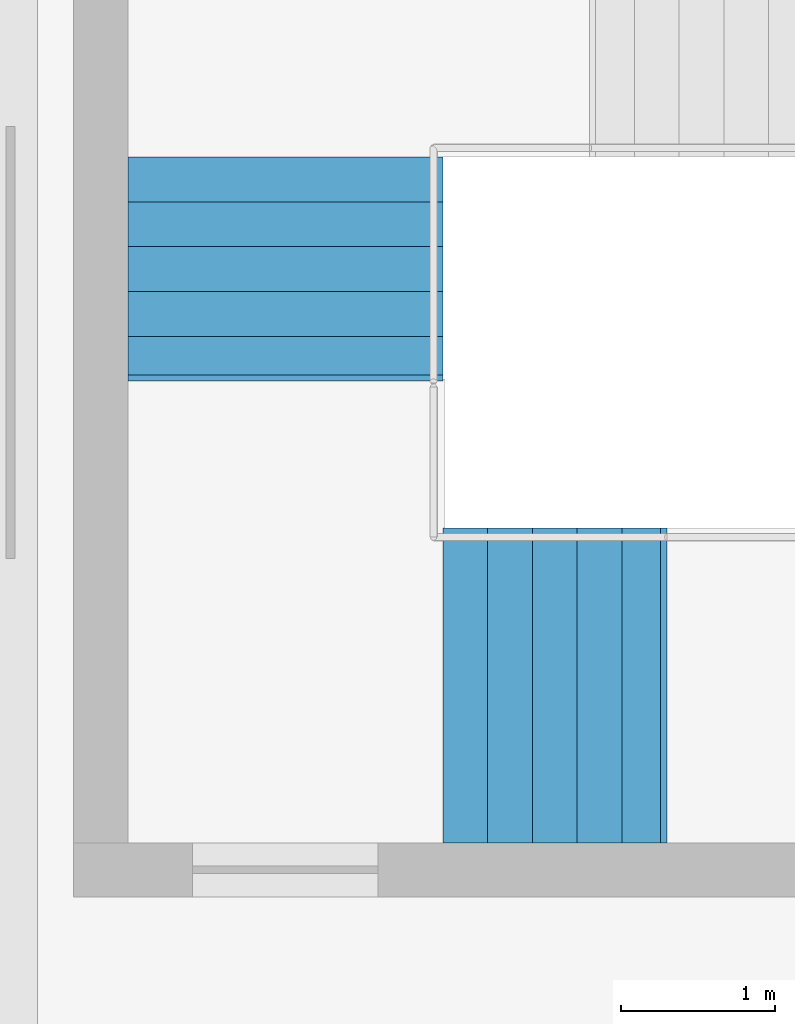
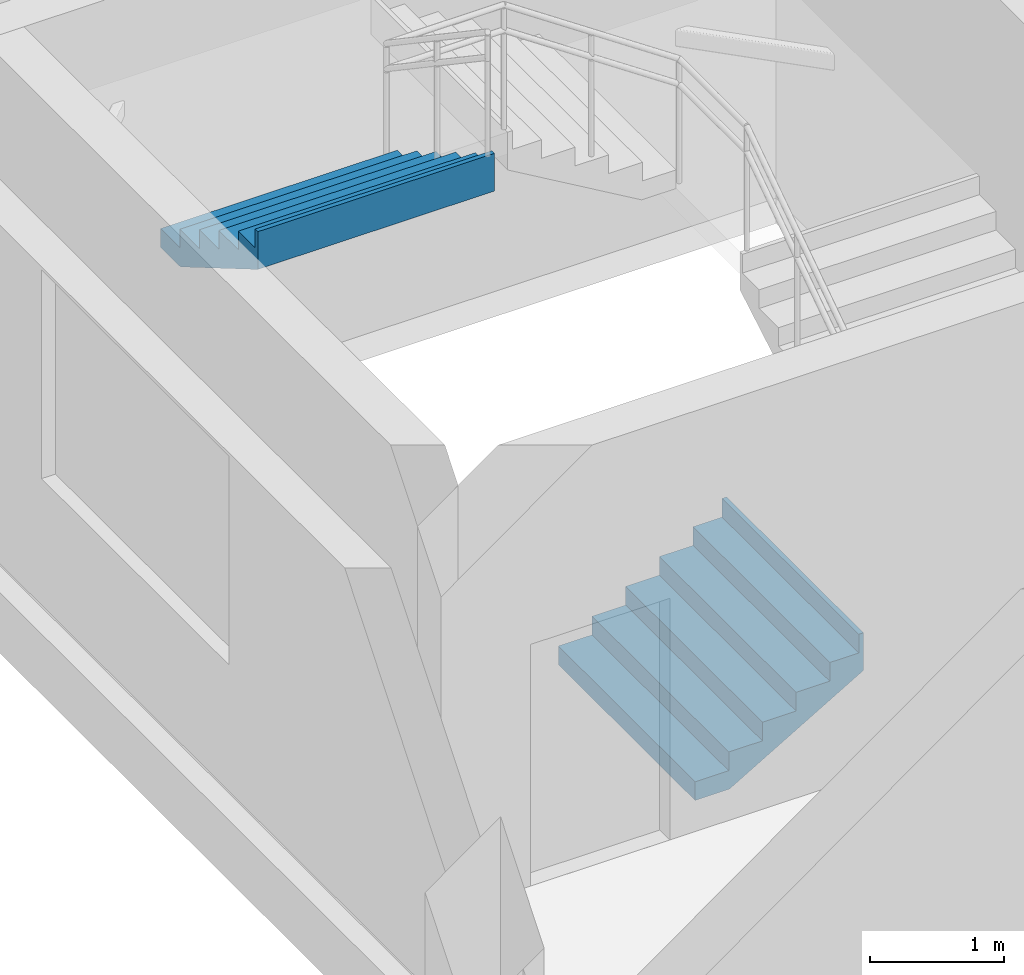
# One storey, part 60 of 70: 2 stair flights, 1 element without a shape of its own.
"""IFC4 building model written with IfcOpenShell, lengths in metres."""

from ifc_helpers import new_model, si_unit, direction, frame, origin, place, context, subcontext, project, spatial, triangles, material, type_object, element, aggregate, save


model = new_model("IFC4")

# Units and contexts
model_context = context("Model", 3, precision=1e-05, world=origin(), true_north=direction((0.0, 1.0)))
body_context = subcontext(model_context, "Body", "Model", "MODEL_VIEW")
ifc_project = project(units=[si_unit("LENGTHUNIT", "METRE"), si_unit("AREAUNIT", "SQUARE_METRE"), si_unit("VOLUMEUNIT", "CUBIC_METRE"), si_unit("PLANEANGLEUNIT", "RADIAN"), si_unit("MASSUNIT", "GRAM", prefix="KILO")], contexts=[model_context])

# Site, building, storey
site_placement = place(None, origin())
site = spatial("IfcSite", under=ifc_project, at=site_placement, CompositionType="ELEMENT")
building_placement = place(site_placement, origin())
building = spatial("IfcBuilding", under=site, at=building_placement, Name="Sillaruma Civic Art Gallery", CompositionType="ELEMENT")
storey_placement = place(building_placement, frame((0.0, 0.0, 66.300048828125)))
storey = spatial("IfcBuildingStorey", under=building, at=storey_placement, Name="L13", CompositionType="ELEMENT", Elevation=66.300048828125)

# Stair, stair flights
ifc_material = material(Name="Concrete H35 (35 MPa)", Category="concrete")
stair_type = type_object("IfcStairType", Name="STR-4F-24", PredefinedType="USERDEFINED", material=ifc_material)
stair_placement = place(storey_placement, origin())
stair = element("IfcStair", 1, at=stair_placement, inside=storey, type_object=stair_type, Name="Protected Exit Stair ST-03 (West Bar South) (L13)", ObjectType="THREE_RETURN_STAIR", PredefinedType="USERDEFINED")
stair_flight_type = type_object("IfcStairFlightType", Name="SFL-STR-6", PredefinedType="STRAIGHT", material=ifc_material)
stair_flight_1_placement = place(storey_placement, frame((64.800048828125, 32.429931640625, 0.0), z_axis=(0.0, 0.0, 1.0), x_axis=(1.0, 0.0, 0.0)))
stair_flight_1 = element("IfcStairFlight", 2, at=stair_flight_1_placement, type_object=stair_flight_type, Name="ST-03 flight 1", NumberOfRisers=6, NumberOfTreads=5, PredefinedType="STRAIGHT", RiserHeight=0.17, TreadLength=0.29, context=body_context, shape_type="Tessellation", body=[
    triangles([(0.0, -1.02001953125, 0.0), (0.29, -1.02001953125, 0.0), (0.296365, -1.02001953125, 0.0), (0.58, -1.02001953125, 0.166269), (0.87, -1.02001953125, 0.336269), (1.16, -1.02001953125, 0.506269), (1.409951, -1.02001953125, 0.652792), (1.449951, -1.02001953125, 0.67624), (1.449951, -1.02001953125, 1.02), (1.409951, -1.02001953125, 1.02), (1.409951, -1.02001953125, 0.85), (1.16, -1.02001953125, 0.85), (1.16, -1.02001953125, 0.68), (0.87, -1.02001953125, 0.68), (0.87, -1.02001953125, 0.51), (0.58, -1.02001953125, 0.51), (0.58, -1.02001953125, 0.34), (0.296365, -1.02001953125, 0.34), (0.29, -1.02001953125, 0.34), (0.29, -1.02001953125, 0.17), (0.0, -1.02001953125, 0.17), (0.0, -0.05, 0.0), (0.29, -0.05, 0.0), (0.296365, -0.05, 0.0), (0.58, -0.05, 0.166269), (0.87, -0.05, 0.336269), (1.16, -0.05, 0.506269), (1.409951, -0.05, 0.652792), (1.449951, -0.05, 0.67624), (1.449951, -0.05, 1.02), (1.409951, -0.05, 1.02), (1.409951, -0.05, 0.85), (1.16, -0.05, 0.85), (1.16, -0.05, 0.68), (0.87, -0.05, 0.68), (0.87, -0.05, 0.51), (0.58, -0.05, 0.51), (0.58, -0.05, 0.34), (0.296365, -0.05, 0.34), (0.29, -0.05, 0.34), (0.29, -0.05, 0.17), (0.0, -0.05, 0.17), (0.0, -0.0375, 0.0), (0.29, -0.0375, 0.0), (0.296365, -0.0375, 0.0), (0.58, -0.0375, 0.166269), (0.87, -0.0375, 0.336269), (1.16, -0.0375, 0.506269), (1.409951, -0.0375, 0.652792), (1.449951, -0.0375, 0.67624), (1.449951, -0.0375, 1.02), (1.409951, -0.0375, 1.02), (1.409951, -0.0375, 0.85), (1.16, -0.0375, 0.85), (1.16, -0.0375, 0.68), (0.87, -0.0375, 0.68), (0.87, -0.0375, 0.51), (0.58, -0.0375, 0.51), (0.58, -0.0375, 0.34), (0.296365, -0.0375, 0.34), (0.29, -0.0375, 0.34), (0.29, -0.0375, 0.17), (0.0, -0.0375, 0.17), (0.0, -0.025, 0.0), (0.29, -0.025, 0.0), (0.296365, -0.025, 0.0), (0.58, -0.025, 0.166269), (0.87, -0.025, 0.336269), (1.16, -0.025, 0.506269), (1.409951, -0.025, 0.652792), (1.449951, -0.025, 0.67624), (1.449951, -0.025, 1.02), (1.409951, -0.025, 1.02), (1.409951, -0.025, 0.85), (1.16, -0.025, 0.85), (1.16, -0.025, 0.68), (0.87, -0.025, 0.68), (0.87, -0.025, 0.51), (0.58, -0.025, 0.51), (0.58, -0.025, 0.34), (0.296365, -0.025, 0.34), (0.29, -0.025, 0.34), (0.29, -0.025, 0.17), (0.0, -0.025, 0.17), (0.0, -0.0125, 0.0), (0.29, -0.0125, 0.0), (0.296365, -0.0125, 0.0), (0.58, -0.0125, 0.166269), (0.87, -0.0125, 0.336269), (1.16, -0.0125, 0.506269), (1.409951, -0.0125, 0.652792), (1.449951, -0.0125, 0.67624), (1.449951, -0.0125, 1.02), (1.409951, -0.0125, 1.02), (1.409951, -0.0125, 0.85), (1.16, -0.0125, 0.85), (1.16, -0.0125, 0.68), (0.87, -0.0125, 0.68), (0.87, -0.0125, 0.51), (0.58, -0.0125, 0.51), (0.58, -0.0125, 0.34), (0.296365, -0.0125, 0.34), (0.29, -0.0125, 0.34), (0.29, -0.0125, 0.17), (0.0, -0.0125, 0.17), (0.0, 0.0, 0.0), (0.29, 0.0, 0.0), (0.296365, 0.0, 0.0), (0.58, 0.0, 0.166269), (0.87, 0.0, 0.336269), (1.16, 0.0, 0.506269), (1.409951, 0.0, 0.652792), (1.449951, 0.0, 0.67624), (1.449951, 0.0, 1.02), (1.409951, 0.0, 1.02), (1.409951, 0.0, 0.85), (1.16, 0.0, 0.85), (1.16, 0.0, 0.68), (0.87, 0.0, 0.68), (0.87, 0.0, 0.51), (0.58, 0.0, 0.51), (0.58, 0.0, 0.34), (0.296365, 0.0, 0.34), (0.29, 0.0, 0.34), (0.29, 0.0, 0.17), (0.0, 0.0, 0.17), (0.0, 0.0125, 0.0), (0.29, 0.0125, 0.0), (0.296365, 0.0125, 0.0), (0.58, 0.0125, 0.166269), (0.87, 0.0125, 0.336269), (1.16, 0.0125, 0.506269), (1.409951, 0.0125, 0.652792), (1.449951, 0.0125, 0.67624), (1.449951, 0.0125, 1.02), (1.409951, 0.0125, 1.02), (1.409951, 0.0125, 0.85), (1.16, 0.0125, 0.85), (1.16, 0.0125, 0.68), (0.87, 0.0125, 0.68), (0.87, 0.0125, 0.51), (0.58, 0.0125, 0.51), (0.58, 0.0125, 0.34), (0.296365, 0.0125, 0.34), (0.29, 0.0125, 0.34), (0.29, 0.0125, 0.17), (0.0, 0.0125, 0.17), (0.0, 0.025, 0.0), (0.29, 0.025, 0.0), (0.296365, 0.025, 0.0), (0.58, 0.025, 0.166269), (0.87, 0.025, 0.336269), (1.16, 0.025, 0.506269), (1.409951, 0.025, 0.652792), (1.449951, 0.025, 0.67624), (1.449951, 0.025, 1.02), (1.409951, 0.025, 1.02), (1.409951, 0.025, 0.85), (1.16, 0.025, 0.85), (1.16, 0.025, 0.68), (0.87, 0.025, 0.68), (0.87, 0.025, 0.51), (0.58, 0.025, 0.51), (0.58, 0.025, 0.34), (0.296365, 0.025, 0.34), (0.29, 0.025, 0.34), (0.29, 0.025, 0.17), (0.0, 0.025, 0.17), (0.0, 0.0375, 0.0), (0.29, 0.0375, 0.0), (0.296365, 0.0375, 0.0), (0.58, 0.0375, 0.166269), (0.87, 0.0375, 0.336269), (1.16, 0.0375, 0.506269), (1.409951, 0.0375, 0.652792), (1.449951, 0.0375, 0.67624), (1.449951, 0.0375, 1.02), (1.409951, 0.0375, 1.02), (1.409951, 0.0375, 0.85), (1.16, 0.0375, 0.85), (1.16, 0.0375, 0.68), (0.87, 0.0375, 0.68), (0.87, 0.0375, 0.51), (0.58, 0.0375, 0.51), (0.58, 0.0375, 0.34), (0.296365, 0.0375, 0.34), (0.29, 0.0375, 0.34), (0.29, 0.0375, 0.17), (0.0, 0.0375, 0.17), (0.0, 0.05, 0.0), (0.29, 0.05, 0.0), (0.296365, 0.05, 0.0), (0.58, 0.05, 0.166269), (0.87, 0.05, 0.336269), (1.16, 0.05, 0.506269), (1.409951, 0.05, 0.652792), (1.449951, 0.05, 0.67624), (1.449951, 0.05, 1.02), (1.409951, 0.05, 1.02), (1.409951, 0.05, 0.85), (1.16, 0.05, 0.85), (1.16, 0.05, 0.68), (0.87, 0.05, 0.68), (0.87, 0.05, 0.51), (0.58, 0.05, 0.51), (0.58, 0.05, 0.34), (0.296365, 0.05, 0.34), (0.29, 0.05, 0.34), (0.29, 0.05, 0.17), (0.0, 0.05, 0.17), (0.0, 1.02001953125, 0.0), (0.29, 1.02001953125, 0.0), (0.296365, 1.02001953125, 0.0), (0.58, 1.02001953125, 0.166269), (0.87, 1.02001953125, 0.336269), (1.16, 1.02001953125, 0.506269), (1.409951, 1.02001953125, 0.652792), (1.449951, 1.02001953125, 0.67624), (1.449951, 1.02001953125, 1.02), (1.409951, 1.02001953125, 1.02), (1.409951, 1.02001953125, 0.85), (1.16, 1.02001953125, 0.85), (1.16, 1.02001953125, 0.68), (0.87, 1.02001953125, 0.68), (0.87, 1.02001953125, 0.51), (0.58, 1.02001953125, 0.51), (0.58, 1.02001953125, 0.34), (0.296365, 1.02001953125, 0.34), (0.29, 1.02001953125, 0.34), (0.29, 1.02001953125, 0.17), (0.0, 1.02001953125, 0.17)], [[1, 2, 20], [1, 20, 21], [2, 3, 18], [2, 18, 20], [20, 18, 19], [3, 4, 17], [3, 17, 18], [4, 5, 15], [4, 15, 17], [17, 15, 16], [5, 6, 13], [5, 13, 15], [15, 13, 14], [6, 7, 11], [6, 11, 13], [13, 11, 12], [7, 8, 9], [7, 9, 11], [11, 9, 10], [230, 212, 211], [231, 230, 211], [228, 213, 212], [230, 228, 212], [229, 228, 230], [227, 214, 213], [228, 227, 213], [225, 215, 214], [227, 225, 214], [226, 225, 227], [223, 216, 215], [225, 223, 215], [224, 223, 225], [221, 217, 216], [223, 221, 216], [222, 221, 223], [219, 218, 217], [221, 219, 217], [220, 219, 221], [2, 1, 22], [2, 22, 23], [3, 2, 23], [3, 23, 24], [4, 3, 24], [4, 24, 25], [5, 4, 25], [5, 25, 26], [6, 5, 26], [6, 26, 27], [7, 6, 27], [7, 27, 28], [8, 7, 28], [8, 28, 29], [9, 8, 29], [9, 29, 30], [10, 9, 30], [10, 30, 31], [11, 10, 31], [11, 31, 32], [12, 11, 32], [12, 32, 33], [13, 12, 33], [13, 33, 34], [14, 13, 34], [14, 34, 35], [15, 14, 35], [15, 35, 36], [16, 15, 36], [16, 36, 37], [17, 16, 37], [17, 37, 38], [18, 17, 38], [18, 38, 39], [19, 18, 39], [19, 39, 40], [20, 19, 40], [20, 40, 41], [21, 20, 41], [21, 41, 42], [1, 21, 42], [1, 42, 22], [23, 22, 43], [23, 43, 44], [24, 23, 44], [24, 44, 45], [25, 24, 45], [25, 45, 46], [26, 25, 46], [26, 46, 47], [27, 26, 47], [27, 47, 48], [28, 27, 48], [28, 48, 49], [29, 28, 49], [29, 49, 50], [30, 29, 50], [30, 50, 51], [31, 30, 51], [31, 51, 52], [32, 31, 52], [32, 52, 53], [33, 32, 53], [33, 53, 54], [34, 33, 54], [34, 54, 55], [35, 34, 55], [35, 55, 56], [36, 35, 56], [36, 56, 57], [37, 36, 57], [37, 57, 58], [38, 37, 58], [38, 58, 59], [39, 38, 59], [39, 59, 60], [40, 39, 60], [40, 60, 61], [41, 40, 61], [41, 61, 62], [42, 41, 62], [42, 62, 63], [22, 42, 63], [22, 63, 43], [44, 43, 64], [44, 64, 65], [45, 44, 65], [45, 65, 66], [46, 45, 66], [46, 66, 67], [47, 46, 67], [47, 67, 68], [48, 47, 68], [48, 68, 69], [49, 48, 69], [49, 69, 70], [50, 49, 70], [50, 70, 71], [51, 50, 71], [51, 71, 72], [52, 51, 72], [52, 72, 73], [53, 52, 73], [53, 73, 74], [54, 53, 74], [54, 74, 75], [55, 54, 75], [55, 75, 76], [56, 55, 76], [56, 76, 77], [57, 56, 77], [57, 77, 78], [58, 57, 78], [58, 78, 79], [59, 58, 79], [59, 79, 80], [60, 59, 80], [60, 80, 81], [61, 60, 81], [61, 81, 82], [62, 61, 82], [62, 82, 83], [63, 62, 83], [63, 83, 84], [43, 63, 84], [43, 84, 64], [65, 64, 85], [65, 85, 86], [66, 65, 86], [66, 86, 87], [67, 66, 87], [67, 87, 88], [68, 67, 88], [68, 88, 89], [69, 68, 89], [69, 89, 90], [70, 69, 90], [70, 90, 91], [71, 70, 91], [71, 91, 92], [72, 71, 92], [72, 92, 93], [73, 72, 93], [73, 93, 94], [74, 73, 94], [74, 94, 95], [75, 74, 95], [75, 95, 96], [76, 75, 96], [76, 96, 97], [77, 76, 97], [77, 97, 98], [78, 77, 98], [78, 98, 99], [79, 78, 99], [79, 99, 100], [80, 79, 100], [80, 100, 101], [81, 80, 101], [81, 101, 102], [82, 81, 102], [82, 102, 103], [83, 82, 103], [83, 103, 104], [84, 83, 104], [84, 104, 105], [64, 84, 105], [64, 105, 85], [86, 85, 106], [86, 106, 107], [87, 86, 107], [87, 107, 108], [88, 87, 108], [88, 108, 109], [89, 88, 109], [89, 109, 110], [90, 89, 110], [90, 110, 111], [91, 90, 111], [91, 111, 112], [92, 91, 112], [92, 112, 113], [93, 92, 113], [93, 113, 114], [94, 93, 114], [94, 114, 115], [95, 94, 115], [95, 115, 116], [96, 95, 116], [96, 116, 117], [97, 96, 117], [97, 117, 118], [98, 97, 118], [98, 118, 119], [99, 98, 119], [99, 119, 120], [100, 99, 120], [100, 120, 121], [101, 100, 121], [101, 121, 122], [102, 101, 122], [102, 122, 123], [103, 102, 123], [103, 123, 124], [104, 103, 124], [104, 124, 125], [105, 104, 125], [105, 125, 126], [85, 105, 126], [85, 126, 106], [107, 106, 127], [107, 127, 128], [108, 107, 128], [108, 128, 129], [109, 108, 129], [109, 129, 130], [110, 109, 130], [110, 130, 131], [111, 110, 131], [111, 131, 132], [112, 111, 132], [112, 132, 133], [113, 112, 133], [113, 133, 134], [114, 113, 134], [114, 134, 135], [115, 114, 135], [115, 135, 136], [116, 115, 136], [116, 136, 137], [117, 116, 137], [117, 137, 138], [118, 117, 138], [118, 138, 139], [119, 118, 139], [119, 139, 140], [120, 119, 140], [120, 140, 141], [121, 120, 141], [121, 141, 142], [122, 121, 142], [122, 142, 143], [123, 122, 143], [123, 143, 144], [124, 123, 144], [124, 144, 145], [125, 124, 145], [125, 145, 146], [126, 125, 146], [126, 146, 147], [106, 126, 147], [106, 147, 127], [128, 127, 148], [128, 148, 149], [129, 128, 149], [129, 149, 150], [130, 129, 150], [130, 150, 151], [131, 130, 151], [131, 151, 152], [132, 131, 152], [132, 152, 153], [133, 132, 153], [133, 153, 154], [134, 133, 154], [134, 154, 155], [135, 134, 155], [135, 155, 156], [136, 135, 156], [136, 156, 157], [137, 136, 157], [137, 157, 158], [138, 137, 158], [138, 158, 159], [139, 138, 159], [139, 159, 160], [140, 139, 160], [140, 160, 161], [141, 140, 161], [141, 161, 162], [142, 141, 162], [142, 162, 163], [143, 142, 163], [143, 163, 164], [144, 143, 164], [144, 164, 165], [145, 144, 165], [145, 165, 166], [146, 145, 166], [146, 166, 167], [147, 146, 167], [147, 167, 168], [127, 147, 168], [127, 168, 148], [149, 148, 169], [149, 169, 170], [150, 149, 170], [150, 170, 171], [151, 150, 171], [151, 171, 172], [152, 151, 172], [152, 172, 173], [153, 152, 173], [153, 173, 174], [154, 153, 174], [154, 174, 175], [155, 154, 175], [155, 175, 176], [156, 155, 176], [156, 176, 177], [157, 156, 177], [157, 177, 178], [158, 157, 178], [158, 178, 179], [159, 158, 179], [159, 179, 180], [160, 159, 180], [160, 180, 181], [161, 160, 181], [161, 181, 182], [162, 161, 182], [162, 182, 183], [163, 162, 183], [163, 183, 184], [164, 163, 184], [164, 184, 185], [165, 164, 185], [165, 185, 186], [166, 165, 186], [166, 186, 187], [167, 166, 187], [167, 187, 188], [168, 167, 188], [168, 188, 189], [148, 168, 189], [148, 189, 169], [170, 169, 190], [170, 190, 191], [171, 170, 191], [171, 191, 192], [172, 171, 192], [172, 192, 193], [173, 172, 193], [173, 193, 194], [174, 173, 194], [174, 194, 195], [175, 174, 195], [175, 195, 196], [176, 175, 196], [176, 196, 197], [177, 176, 197], [177, 197, 198], [178, 177, 198], [178, 198, 199], [179, 178, 199], [179, 199, 200], [180, 179, 200], [180, 200, 201], [181, 180, 201], [181, 201, 202], [182, 181, 202], [182, 202, 203], [183, 182, 203], [183, 203, 204], [184, 183, 204], [184, 204, 205], [185, 184, 205], [185, 205, 206], [186, 185, 206], [186, 206, 207], [187, 186, 207], [187, 207, 208], [188, 187, 208], [188, 208, 209], [189, 188, 209], [189, 209, 210], [169, 189, 210], [169, 210, 190], [191, 190, 211], [191, 211, 212], [192, 191, 212], [192, 212, 213], [193, 192, 213], [193, 213, 214], [194, 193, 214], [194, 214, 215], [195, 194, 215], [195, 215, 216], [196, 195, 216], [196, 216, 217], [197, 196, 217], [197, 217, 218], [198, 197, 218], [198, 218, 219], [199, 198, 219], [199, 219, 220], [200, 199, 220], [200, 220, 221], [201, 200, 221], [201, 221, 222], [202, 201, 222], [202, 222, 223], [203, 202, 223], [203, 223, 224], [204, 203, 224], [204, 224, 225], [205, 204, 225], [205, 225, 226], [206, 205, 226], [206, 226, 227], [207, 206, 227], [207, 227, 228], [208, 207, 228], [208, 228, 229], [209, 208, 229], [209, 229, 230], [210, 209, 230], [210, 230, 231], [190, 210, 231], [190, 231, 211]], closed=True),
])
stair_flight_2_placement = place(storey_placement, frame((63.780029296875, 35.85009765625, 3.06005859375), z_axis=(0.0, 0.0, 1.0), x_axis=(0.0, -1.0, 0.0)))
stair_flight_2 = element("IfcStairFlight", 3, at=stair_flight_2_placement, type_object=stair_flight_type, Name="ST-03 flight 4", NumberOfRisers=6, NumberOfTreads=5, PredefinedType="STRAIGHT", RiserHeight=0.17, TreadLength=0.29, context=body_context, shape_type="Tessellation", body=[
    triangles([(0.0, -1.02001953125, 0.0), (0.29, -1.02001953125, 0.0), (0.296365, -1.02001953125, 0.0), (0.58, -1.02001953125, 0.166269), (0.87, -1.02001953125, 0.336269), (1.16, -1.02001953125, 0.506269), (1.409951, -1.02001953125, 0.652792), (1.449951, -1.02001953125, 0.67624), (1.449951, -1.02001953125, 1.02), (1.409951, -1.02001953125, 1.02), (1.409951, -1.02001953125, 0.85), (1.16, -1.02001953125, 0.85), (1.16, -1.02001953125, 0.68), (0.87, -1.02001953125, 0.68), (0.87, -1.02001953125, 0.51), (0.58, -1.02001953125, 0.51), (0.58, -1.02001953125, 0.34), (0.296365, -1.02001953125, 0.34), (0.29, -1.02001953125, 0.34), (0.29, -1.02001953125, 0.17), (0.0, -1.02001953125, 0.17), (0.0, -0.05, 0.0), (0.29, -0.05, 0.0), (0.296365, -0.05, 0.0), (0.58, -0.05, 0.166269), (0.87, -0.05, 0.336269), (1.16, -0.05, 0.506269), (1.409951, -0.05, 0.652792), (1.449951, -0.05, 0.67624), (1.449951, -0.05, 1.02), (1.409951, -0.05, 1.02), (1.409951, -0.05, 0.85), (1.16, -0.05, 0.85), (1.16, -0.05, 0.68), (0.87, -0.05, 0.68), (0.87, -0.05, 0.51), (0.58, -0.05, 0.51), (0.58, -0.05, 0.34), (0.296365, -0.05, 0.34), (0.29, -0.05, 0.34), (0.29, -0.05, 0.17), (0.0, -0.05, 0.17), (0.0, -0.0375, 0.0), (0.29, -0.0375, 0.0), (0.296365, -0.0375, 0.0), (0.58, -0.0375, 0.166269), (0.87, -0.0375, 0.336269), (1.16, -0.0375, 0.506269), (1.409951, -0.0375, 0.652792), (1.449951, -0.0375, 0.67624), (1.449951, -0.0375, 1.02), (1.409951, -0.0375, 1.02), (1.409951, -0.0375, 0.85), (1.16, -0.0375, 0.85), (1.16, -0.0375, 0.68), (0.87, -0.0375, 0.68), (0.87, -0.0375, 0.51), (0.58, -0.0375, 0.51), (0.58, -0.0375, 0.34), (0.296365, -0.0375, 0.34), (0.29, -0.0375, 0.34), (0.29, -0.0375, 0.17), (0.0, -0.0375, 0.17), (0.0, -0.025, 0.0), (0.29, -0.025, 0.0), (0.296365, -0.025, 0.0), (0.58, -0.025, 0.166269), (0.87, -0.025, 0.336269), (1.16, -0.025, 0.506269), (1.409951, -0.025, 0.652792), (1.449951, -0.025, 0.67624), (1.449951, -0.025, 1.02), (1.409951, -0.025, 1.02), (1.409951, -0.025, 0.85), (1.16, -0.025, 0.85), (1.16, -0.025, 0.68), (0.87, -0.025, 0.68), (0.87, -0.025, 0.51), (0.58, -0.025, 0.51), (0.58, -0.025, 0.34), (0.296365, -0.025, 0.34), (0.29, -0.025, 0.34), (0.29, -0.025, 0.17), (0.0, -0.025, 0.17), (0.0, -0.0125, 0.0), (0.29, -0.0125, 0.0), (0.296365, -0.0125, 0.0), (0.58, -0.0125, 0.166269), (0.87, -0.0125, 0.336269), (1.16, -0.0125, 0.506269), (1.409951, -0.0125, 0.652792), (1.449951, -0.0125, 0.67624), (1.449951, -0.0125, 1.02), (1.409951, -0.0125, 1.02), (1.409951, -0.0125, 0.85), (1.16, -0.0125, 0.85), (1.16, -0.0125, 0.68), (0.87, -0.0125, 0.68), (0.87, -0.0125, 0.51), (0.58, -0.0125, 0.51), (0.58, -0.0125, 0.34), (0.296365, -0.0125, 0.34), (0.29, -0.0125, 0.34), (0.29, -0.0125, 0.17), (0.0, -0.0125, 0.17), (0.0, 0.0, 0.0), (0.29, 0.0, 0.0), (0.296365, 0.0, 0.0), (0.58, 0.0, 0.166269), (0.87, 0.0, 0.336269), (1.16, 0.0, 0.506269), (1.409951, 0.0, 0.652792), (1.449951, 0.0, 0.67624), (1.449951, 0.0, 1.02), (1.409951, 0.0, 1.02), (1.409951, 0.0, 0.85), (1.16, 0.0, 0.85), (1.16, 0.0, 0.68), (0.87, 0.0, 0.68), (0.87, 0.0, 0.51), (0.58, 0.0, 0.51), (0.58, 0.0, 0.34), (0.296365, 0.0, 0.34), (0.29, 0.0, 0.34), (0.29, 0.0, 0.17), (0.0, 0.0, 0.17), (0.0, 0.0125, 0.0), (0.29, 0.0125, 0.0), (0.296365, 0.0125, 0.0), (0.58, 0.0125, 0.166269), (0.87, 0.0125, 0.336269), (1.16, 0.0125, 0.506269), (1.409951, 0.0125, 0.652792), (1.449951, 0.0125, 0.67624), (1.449951, 0.0125, 1.02), (1.409951, 0.0125, 1.02), (1.409951, 0.0125, 0.85), (1.16, 0.0125, 0.85), (1.16, 0.0125, 0.68), (0.87, 0.0125, 0.68), (0.87, 0.0125, 0.51), (0.58, 0.0125, 0.51), (0.58, 0.0125, 0.34), (0.296365, 0.0125, 0.34), (0.29, 0.0125, 0.34), (0.29, 0.0125, 0.17), (0.0, 0.0125, 0.17), (0.0, 0.025, 0.0), (0.29, 0.025, 0.0), (0.296365, 0.025, 0.0), (0.58, 0.025, 0.166269), (0.87, 0.025, 0.336269), (1.16, 0.025, 0.506269), (1.409951, 0.025, 0.652792), (1.449951, 0.025, 0.67624), (1.449951, 0.025, 1.02), (1.409951, 0.025, 1.02), (1.409951, 0.025, 0.85), (1.16, 0.025, 0.85), (1.16, 0.025, 0.68), (0.87, 0.025, 0.68), (0.87, 0.025, 0.51), (0.58, 0.025, 0.51), (0.58, 0.025, 0.34), (0.296365, 0.025, 0.34), (0.29, 0.025, 0.34), (0.29, 0.025, 0.17), (0.0, 0.025, 0.17), (0.0, 0.0375, 0.0), (0.29, 0.0375, 0.0), (0.296365, 0.0375, 0.0), (0.58, 0.0375, 0.166269), (0.87, 0.0375, 0.336269), (1.16, 0.0375, 0.506269), (1.409951, 0.0375, 0.652792), (1.449951, 0.0375, 0.67624), (1.449951, 0.0375, 1.02), (1.409951, 0.0375, 1.02), (1.409951, 0.0375, 0.85), (1.16, 0.0375, 0.85), (1.16, 0.0375, 0.68), (0.87, 0.0375, 0.68), (0.87, 0.0375, 0.51), (0.58, 0.0375, 0.51), (0.58, 0.0375, 0.34), (0.296365, 0.0375, 0.34), (0.29, 0.0375, 0.34), (0.29, 0.0375, 0.17), (0.0, 0.0375, 0.17), (0.0, 0.05, 0.0), (0.29, 0.05, 0.0), (0.296365, 0.05, 0.0), (0.58, 0.05, 0.166269), (0.87, 0.05, 0.336269), (1.16, 0.05, 0.506269), (1.409951, 0.05, 0.652792), (1.449951, 0.05, 0.67624), (1.449951, 0.05, 1.02), (1.409951, 0.05, 1.02), (1.409951, 0.05, 0.85), (1.16, 0.05, 0.85), (1.16, 0.05, 0.68), (0.87, 0.05, 0.68), (0.87, 0.05, 0.51), (0.58, 0.05, 0.51), (0.58, 0.05, 0.34), (0.296365, 0.05, 0.34), (0.29, 0.05, 0.34), (0.29, 0.05, 0.17), (0.0, 0.05, 0.17), (0.0, 1.02001953125, 0.0), (0.29, 1.02001953125, 0.0), (0.296365, 1.02001953125, 0.0), (0.58, 1.02001953125, 0.166269), (0.87, 1.02001953125, 0.336269), (1.16, 1.02001953125, 0.506269), (1.409951, 1.02001953125, 0.652792), (1.449951, 1.02001953125, 0.67624), (1.449951, 1.02001953125, 1.02), (1.409951, 1.02001953125, 1.02), (1.409951, 1.02001953125, 0.85), (1.16, 1.02001953125, 0.85), (1.16, 1.02001953125, 0.68), (0.87, 1.02001953125, 0.68), (0.87, 1.02001953125, 0.51), (0.58, 1.02001953125, 0.51), (0.58, 1.02001953125, 0.34), (0.296365, 1.02001953125, 0.34), (0.29, 1.02001953125, 0.34), (0.29, 1.02001953125, 0.17), (0.0, 1.02001953125, 0.17)], [[1, 2, 20], [1, 20, 21], [2, 3, 18], [2, 18, 20], [20, 18, 19], [3, 4, 17], [3, 17, 18], [4, 5, 15], [4, 15, 17], [17, 15, 16], [5, 6, 13], [5, 13, 15], [15, 13, 14], [6, 7, 11], [6, 11, 13], [13, 11, 12], [7, 8, 9], [7, 9, 11], [11, 9, 10], [230, 212, 211], [231, 230, 211], [228, 213, 212], [230, 228, 212], [229, 228, 230], [227, 214, 213], [228, 227, 213], [225, 215, 214], [227, 225, 214], [226, 225, 227], [223, 216, 215], [225, 223, 215], [224, 223, 225], [221, 217, 216], [223, 221, 216], [222, 221, 223], [219, 218, 217], [221, 219, 217], [220, 219, 221], [2, 1, 22], [2, 22, 23], [3, 2, 23], [3, 23, 24], [4, 3, 24], [4, 24, 25], [5, 4, 25], [5, 25, 26], [6, 5, 26], [6, 26, 27], [7, 6, 27], [7, 27, 28], [8, 7, 28], [8, 28, 29], [9, 8, 29], [9, 29, 30], [10, 9, 30], [10, 30, 31], [11, 10, 31], [11, 31, 32], [12, 11, 32], [12, 32, 33], [13, 12, 33], [13, 33, 34], [14, 13, 34], [14, 34, 35], [15, 14, 35], [15, 35, 36], [16, 15, 36], [16, 36, 37], [17, 16, 37], [17, 37, 38], [18, 17, 38], [18, 38, 39], [19, 18, 39], [19, 39, 40], [20, 19, 40], [20, 40, 41], [21, 20, 41], [21, 41, 42], [1, 21, 42], [1, 42, 22], [23, 22, 43], [23, 43, 44], [24, 23, 44], [24, 44, 45], [25, 24, 45], [25, 45, 46], [26, 25, 46], [26, 46, 47], [27, 26, 47], [27, 47, 48], [28, 27, 48], [28, 48, 49], [29, 28, 49], [29, 49, 50], [30, 29, 50], [30, 50, 51], [31, 30, 51], [31, 51, 52], [32, 31, 52], [32, 52, 53], [33, 32, 53], [33, 53, 54], [34, 33, 54], [34, 54, 55], [35, 34, 55], [35, 55, 56], [36, 35, 56], [36, 56, 57], [37, 36, 57], [37, 57, 58], [38, 37, 58], [38, 58, 59], [39, 38, 59], [39, 59, 60], [40, 39, 60], [40, 60, 61], [41, 40, 61], [41, 61, 62], [42, 41, 62], [42, 62, 63], [22, 42, 63], [22, 63, 43], [44, 43, 64], [44, 64, 65], [45, 44, 65], [45, 65, 66], [46, 45, 66], [46, 66, 67], [47, 46, 67], [47, 67, 68], [48, 47, 68], [48, 68, 69], [49, 48, 69], [49, 69, 70], [50, 49, 70], [50, 70, 71], [51, 50, 71], [51, 71, 72], [52, 51, 72], [52, 72, 73], [53, 52, 73], [53, 73, 74], [54, 53, 74], [54, 74, 75], [55, 54, 75], [55, 75, 76], [56, 55, 76], [56, 76, 77], [57, 56, 77], [57, 77, 78], [58, 57, 78], [58, 78, 79], [59, 58, 79], [59, 79, 80], [60, 59, 80], [60, 80, 81], [61, 60, 81], [61, 81, 82], [62, 61, 82], [62, 82, 83], [63, 62, 83], [63, 83, 84], [43, 63, 84], [43, 84, 64], [65, 64, 85], [65, 85, 86], [66, 65, 86], [66, 86, 87], [67, 66, 87], [67, 87, 88], [68, 67, 88], [68, 88, 89], [69, 68, 89], [69, 89, 90], [70, 69, 90], [70, 90, 91], [71, 70, 91], [71, 91, 92], [72, 71, 92], [72, 92, 93], [73, 72, 93], [73, 93, 94], [74, 73, 94], [74, 94, 95], [75, 74, 95], [75, 95, 96], [76, 75, 96], [76, 96, 97], [77, 76, 97], [77, 97, 98], [78, 77, 98], [78, 98, 99], [79, 78, 99], [79, 99, 100], [80, 79, 100], [80, 100, 101], [81, 80, 101], [81, 101, 102], [82, 81, 102], [82, 102, 103], [83, 82, 103], [83, 103, 104], [84, 83, 104], [84, 104, 105], [64, 84, 105], [64, 105, 85], [86, 85, 106], [86, 106, 107], [87, 86, 107], [87, 107, 108], [88, 87, 108], [88, 108, 109], [89, 88, 109], [89, 109, 110], [90, 89, 110], [90, 110, 111], [91, 90, 111], [91, 111, 112], [92, 91, 112], [92, 112, 113], [93, 92, 113], [93, 113, 114], [94, 93, 114], [94, 114, 115], [95, 94, 115], [95, 115, 116], [96, 95, 116], [96, 116, 117], [97, 96, 117], [97, 117, 118], [98, 97, 118], [98, 118, 119], [99, 98, 119], [99, 119, 120], [100, 99, 120], [100, 120, 121], [101, 100, 121], [101, 121, 122], [102, 101, 122], [102, 122, 123], [103, 102, 123], [103, 123, 124], [104, 103, 124], [104, 124, 125], [105, 104, 125], [105, 125, 126], [85, 105, 126], [85, 126, 106], [107, 106, 127], [107, 127, 128], [108, 107, 128], [108, 128, 129], [109, 108, 129], [109, 129, 130], [110, 109, 130], [110, 130, 131], [111, 110, 131], [111, 131, 132], [112, 111, 132], [112, 132, 133], [113, 112, 133], [113, 133, 134], [114, 113, 134], [114, 134, 135], [115, 114, 135], [115, 135, 136], [116, 115, 136], [116, 136, 137], [117, 116, 137], [117, 137, 138], [118, 117, 138], [118, 138, 139], [119, 118, 139], [119, 139, 140], [120, 119, 140], [120, 140, 141], [121, 120, 141], [121, 141, 142], [122, 121, 142], [122, 142, 143], [123, 122, 143], [123, 143, 144], [124, 123, 144], [124, 144, 145], [125, 124, 145], [125, 145, 146], [126, 125, 146], [126, 146, 147], [106, 126, 147], [106, 147, 127], [128, 127, 148], [128, 148, 149], [129, 128, 149], [129, 149, 150], [130, 129, 150], [130, 150, 151], [131, 130, 151], [131, 151, 152], [132, 131, 152], [132, 152, 153], [133, 132, 153], [133, 153, 154], [134, 133, 154], [134, 154, 155], [135, 134, 155], [135, 155, 156], [136, 135, 156], [136, 156, 157], [137, 136, 157], [137, 157, 158], [138, 137, 158], [138, 158, 159], [139, 138, 159], [139, 159, 160], [140, 139, 160], [140, 160, 161], [141, 140, 161], [141, 161, 162], [142, 141, 162], [142, 162, 163], [143, 142, 163], [143, 163, 164], [144, 143, 164], [144, 164, 165], [145, 144, 165], [145, 165, 166], [146, 145, 166], [146, 166, 167], [147, 146, 167], [147, 167, 168], [127, 147, 168], [127, 168, 148], [149, 148, 169], [149, 169, 170], [150, 149, 170], [150, 170, 171], [151, 150, 171], [151, 171, 172], [152, 151, 172], [152, 172, 173], [153, 152, 173], [153, 173, 174], [154, 153, 174], [154, 174, 175], [155, 154, 175], [155, 175, 176], [156, 155, 176], [156, 176, 177], [157, 156, 177], [157, 177, 178], [158, 157, 178], [158, 178, 179], [159, 158, 179], [159, 179, 180], [160, 159, 180], [160, 180, 181], [161, 160, 181], [161, 181, 182], [162, 161, 182], [162, 182, 183], [163, 162, 183], [163, 183, 184], [164, 163, 184], [164, 184, 185], [165, 164, 185], [165, 185, 186], [166, 165, 186], [166, 186, 187], [167, 166, 187], [167, 187, 188], [168, 167, 188], [168, 188, 189], [148, 168, 189], [148, 189, 169], [170, 169, 190], [170, 190, 191], [171, 170, 191], [171, 191, 192], [172, 171, 192], [172, 192, 193], [173, 172, 193], [173, 193, 194], [174, 173, 194], [174, 194, 195], [175, 174, 195], [175, 195, 196], [176, 175, 196], [176, 196, 197], [177, 176, 197], [177, 197, 198], [178, 177, 198], [178, 198, 199], [179, 178, 199], [179, 199, 200], [180, 179, 200], [180, 200, 201], [181, 180, 201], [181, 201, 202], [182, 181, 202], [182, 202, 203], [183, 182, 203], [183, 203, 204], [184, 183, 204], [184, 204, 205], [185, 184, 205], [185, 205, 206], [186, 185, 206], [186, 206, 207], [187, 186, 207], [187, 207, 208], [188, 187, 208], [188, 208, 209], [189, 188, 209], [189, 209, 210], [169, 189, 210], [169, 210, 190], [191, 190, 211], [191, 211, 212], [192, 191, 212], [192, 212, 213], [193, 192, 213], [193, 213, 214], [194, 193, 214], [194, 214, 215], [195, 194, 215], [195, 215, 216], [196, 195, 216], [196, 216, 217], [197, 196, 217], [197, 217, 218], [198, 197, 218], [198, 218, 219], [199, 198, 219], [199, 219, 220], [200, 199, 220], [200, 220, 221], [201, 200, 221], [201, 221, 222], [202, 201, 222], [202, 222, 223], [203, 202, 223], [203, 223, 224], [204, 203, 224], [204, 224, 225], [205, 204, 225], [205, 225, 226], [206, 205, 226], [206, 226, 227], [207, 206, 227], [207, 227, 228], [208, 207, 228], [208, 228, 229], [209, 208, 229], [209, 229, 230], [210, 209, 230], [210, 230, 231], [190, 210, 231], [190, 231, 211]], closed=True),
])
aggregate(stair, [stair_flight_1, stair_flight_2])

save(model, "model.ifc")
